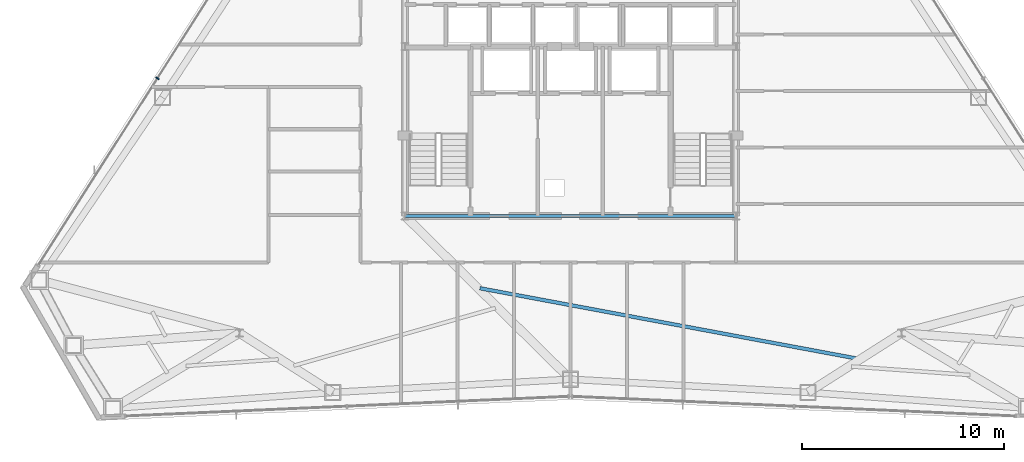
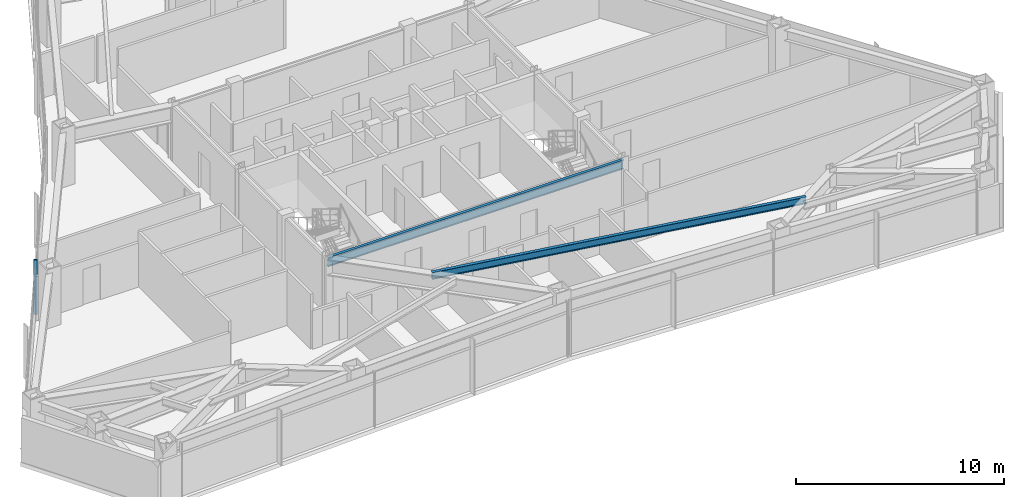
# One storey, part 4 of 13: 2 beams, 1 member, 1 element without a shape of its own.
"""IFC4 building model written with IfcOpenShell, lengths in metres."""

from ifc_helpers import new_model, si_unit, direction, frame, origin, origin_2d, place, context, subcontext, project, spatial, rectangle, i_section, extrude, source, transform, mapped, material, layer, layer_set, material_profile, profile_set, type_object, type_shapes, element, aggregate, save


model = new_model("IFC4")

# Units and contexts
model_context = context("Model", 3, precision=1e-05, world=origin(), true_north=direction((0.0, 1.0)))
body_context = subcontext(model_context, "Body", "Model", "MODEL_VIEW")
ifc_project = project(units=[si_unit("LENGTHUNIT", "METRE"), si_unit("AREAUNIT", "SQUARE_METRE"), si_unit("VOLUMEUNIT", "CUBIC_METRE"), si_unit("PLANEANGLEUNIT", "RADIAN"), si_unit("MASSUNIT", "GRAM", prefix="KILO")], contexts=[model_context])

# Site, building, storey
site_placement = place(None, origin())
site = spatial("IfcSite", under=ifc_project, at=site_placement, CompositionType="ELEMENT")
building_placement = place(site_placement, origin())
building = spatial("IfcBuilding", under=site, at=building_placement, Name="Varakhsha Concourse Tower", CompositionType="ELEMENT")
storey_placement = place(building_placement, frame((0.0, 0.0, 182.699951171875)))
storey = spatial("IfcBuildingStorey", under=building, at=storey_placement, Name="L52", CompositionType="ELEMENT", Elevation=182.699951171875)

# Beams
ifc_material_1 = material(Name="Structural Steel ASTM A992 Grade 50", Category="steel")
ifc_material_profile_1 = material_profile(ifc_material_1, i_section(OverallWidth=0.177978515625, OverallDepth=0.406982421875, WebThickness=0.008056640625, FlangeThickness=0.012939453125, at=origin_2d()), Name="W16X40")
ifc_profile_set_1 = profile_set([ifc_material_profile_1], Name="Structural Steel ASTM A992 Grade 50")
beam_type_1 = type_object("IfcBeamType", Name="BM-JST-W16X40", PredefinedType="JOIST", material=ifc_profile_set_1)
beam_1_placement = place(storey_placement, frame((35.51611328125, 12.8212890625, 3.006591796875), z_axis=(0.98305278924, -0.183322703359, 0.0), x_axis=(0.183322703359, 0.98305278924, 0.0)))
element("IfcBeam", 1, at=beam_1_placement, inside=storey, type_object=beam_type_1, Name="BM-TJST-L52-11", PredefinedType="JOIST", context=body_context, shape_type="SweptSolid", body=[
    extrude(i_section(OverallWidth=0.177978515625, OverallDepth=0.406982421875, WebThickness=0.008056640625, FlangeThickness=0.012939453125, at=origin_2d()), origin(), (0.0, 0.0, 1.0), 19.06396484375),
])
ifc_material_profile_2 = material_profile(ifc_material_1, i_section(OverallWidth=0.1669921875, OverallDepth=0.534912109375, WebThickness=0.010009765625, FlangeThickness=0.01708984375, at=origin_2d()), Name="W21X57")
ifc_profile_set_2 = profile_set([ifc_material_profile_2], Name="Structural Steel ASTM A992 Grade 50")
beam_type_2 = type_object("IfcBeamType", Name="BM-RAD-W21X57", PredefinedType="BEAM", material=ifc_profile_set_2)
beam_2_placement = place(storey_placement, frame((31.800048828125, 16.39990234375, 2.942626953125), z_axis=(1.0, 0.0, 0.0), x_axis=(0.0, 1.0, 0.0)))
element("IfcBeam", 2, at=beam_2_placement, inside=storey, type_object=beam_type_2, Name="BM-TCORE-L52-CS", PredefinedType="BEAM", context=body_context, shape_type="SweptSolid", body=[
    extrude(i_section(OverallWidth=0.1669921875, OverallDepth=0.534912109375, WebThickness=0.010009765625, FlangeThickness=0.01708984375, at=origin_2d()), origin(), (0.0, 0.0, 1.0), 16.39990234375),
])

# Curtain wall, member
ifc_material_2 = material(Name="Anodised Bronze Architectural Aluminium AA 6063-T6", Category="aluminium")
ifc_layer = layer(ifc_material_2, 0.2099609375, Name="CW-SYS-04")
ifc_layer_set = layer_set([ifc_layer], Name="Anodised Bronze Architectural Aluminium AA 6063-T6")
curtain_wall_type = type_object("IfcCurtainWallType", Name="CW-SYS-04", PredefinedType="NOTDEFINED", material=ifc_layer_set)
curtain_wall_placement = place(storey_placement, origin())
curtain_wall = element("IfcCurtainWall", 3, at=curtain_wall_placement, inside=storey, type_object=curtain_wall_type, Name="L52 Crystal Curtain Wall F3", PredefinedType="NOTDEFINED")
ifc_material_profile_3 = material_profile(ifc_material_2, rectangle(XDim=0.06494140625, YDim=0.179931640625, at=origin_2d()), Name="CWM-180X65")
ifc_profile_set_3 = profile_set([ifc_material_profile_3], Name="Anodised Bronze Architectural Aluminium AA 6063-T6")
member_type = type_object("IfcMemberType", Name="CWM-180X65", PredefinedType="MULLION", material=ifc_profile_set_3)
shared_shape = source(origin(), body_context, "Body", "SweptSolid", [
    extrude(rectangle(XDim=0.06494140625, YDim=0.179931640625, at=origin_2d()), origin(), (0.0, 0.0, 1.0), 3.2099609375),
])
type_shapes(member_type, [shared_shape])
member_placement = place(storey_placement, frame((19.541015625, 23.224609375, 0.0), z_axis=(0.0, 0.0, 1.0), x_axis=(0.537863262638, 0.84303209352, 0.0)))
member = element("IfcMember", 4, at=member_placement, type_object=member_type, Name="CW-L52-F3 Mullion 01", PredefinedType="MULLION", context=body_context, shape_type="MappedRepresentation", body=[
    mapped(shared_shape, transform((0.0, 0.0, 0.0), scale=1.0)),
])
aggregate(curtain_wall, [member])

save(model, "model.ifc")
